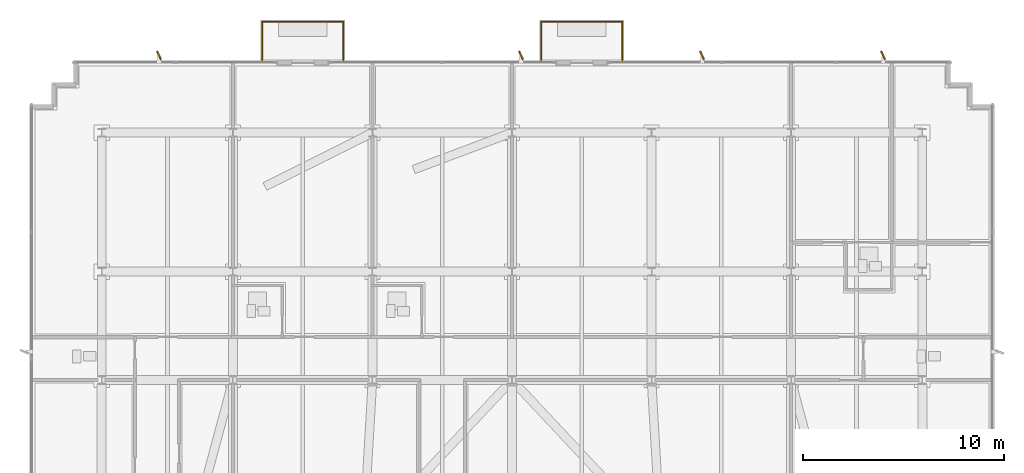
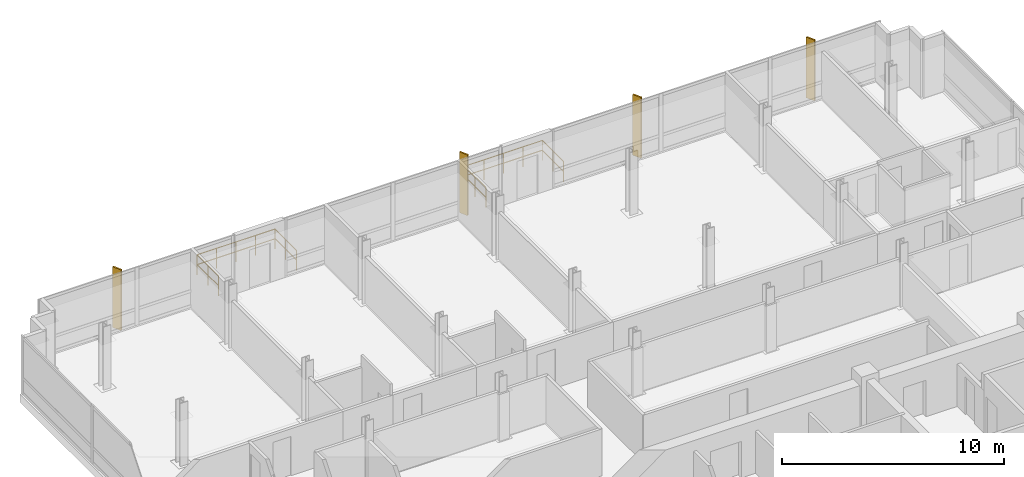
# One storey, part 15 of 16: 6 railings, 4 shading devices.
"""IFC4 building model written with IfcOpenShell, lengths in metres."""

from ifc_helpers import new_model, si_unit, direction, frame, origin, origin_2d, place, context, subcontext, project, spatial, rectangle, circle, extrude, material, layer, layer_set, type_object, element, save


model = new_model("IFC4")

# Units and contexts
model_context = context("Model", 3, precision=1e-05, world=origin(), true_north=direction((0.0, 1.0)))
body_context = subcontext(model_context, "Body", "Model", "MODEL_VIEW")
ifc_project = project(units=[si_unit("LENGTHUNIT", "METRE"), si_unit("AREAUNIT", "SQUARE_METRE"), si_unit("VOLUMEUNIT", "CUBIC_METRE"), si_unit("PLANEANGLEUNIT", "RADIAN"), si_unit("MASSUNIT", "GRAM", prefix="KILO")], contexts=[model_context])

# Site, building, storey
site_placement = place(None, origin())
site = spatial("IfcSite", under=ifc_project, at=site_placement, CompositionType="ELEMENT")
building_placement = place(site_placement, origin())
building = spatial("IfcBuilding", under=site, at=building_placement, Name="Solmavex Isthmus Hotel", CompositionType="ELEMENT")
storey_placement = place(building_placement, frame((0.0, 0.0, 245.39990234375)))
storey = spatial("IfcBuildingStorey", under=building, at=storey_placement, Name="L66", CompositionType="ELEMENT", Elevation=245.39990234375)

# Railings
ifc_material_1 = material(Name="Clear low-E laminated glass", Category="glass")
ifc_layer = layer(ifc_material_1, 0.070068359375)
ifc_layer_set = layer_set([ifc_layer], Name="Clear low-E laminated glass")
railing_type = type_object("IfcRailingType", Name="RAIL-GUARD-1100", PredefinedType="BALUSTRADE", material=ifc_layer_set)
railing_1_placement = place(storey_placement, frame((-12.424072265625, 21.300048828125, 0.0)))
element("IfcRailing", 1, at=railing_1_placement, inside=storey, type_object=railing_type, Name="Guardrail Balustrade L66-BAL1-01", PredefinedType="BALUSTRADE", context=body_context, shape_type="SweptSolid", body=[
    extrude(circle(Radius=0.02392578125, at=origin_2d()), frame((0.0, 0.0, 1.09619140625), z_axis=(0.0, 1.0, 0.0), x_axis=(-1.0, 0.0, 0.0)), (0.0, 0.0, 1.0), 1.919921875),
    extrude(circle(Radius=0.02392578125, at=origin_2d()), frame((0.0, 0.0, 0.56005859375), z_axis=(0.0, 1.0, 0.0), x_axis=(-1.0, 0.0, 0.0)), (0.0, 0.0, 1.0), 1.919921875),
    extrude(circle(Radius=0.02099609375, at=origin_2d()), origin(), (0.0, 0.0, 1.0), 1.072021484375),
    extrude(circle(Radius=0.02099609375, at=origin_2d()), frame((0.0, 0.9599609375, 0.0)), (0.0, 0.0, 1.0), 1.072021484375),
    extrude(circle(Radius=0.02099609375, at=origin_2d()), frame((0.0, 1.919921875, 0.0)), (0.0, 0.0, 1.0), 1.072021484375),
])
railing_2_placement = place(storey_placement, frame((-12.424072265625, 23.219970703125, 0.0)))
element("IfcRailing", 2, at=railing_2_placement, inside=storey, type_object=railing_type, Name="Guardrail Balustrade L66-BAL1-02", PredefinedType="BALUSTRADE", context=body_context, shape_type="SweptSolid", body=[
    extrude(circle(Radius=0.02392578125, at=origin_2d()), frame((0.0, 0.0, 1.09619140625), z_axis=(1.0, 0.0, 0.0), x_axis=(0.0, 1.0, 0.0)), (0.0, 0.0, 1.0), 4.0400390625),
    extrude(circle(Radius=0.02392578125, at=origin_2d()), frame((0.0, 0.0, 0.56005859375), z_axis=(1.0, 0.0, 0.0), x_axis=(0.0, 1.0, 0.0)), (0.0, 0.0, 1.0), 4.0400390625),
    extrude(circle(Radius=0.02099609375, at=origin_2d()), origin(), (0.0, 0.0, 1.0), 1.072021484375),
    extrude(circle(Radius=0.02099609375, at=origin_2d()), frame((1.010009765625, 0.0, 0.0)), (0.0, 0.0, 1.0), 1.072021484375),
    extrude(circle(Radius=0.02099609375, at=origin_2d()), frame((2.02001953125, 0.0, 0.0)), (0.0, 0.0, 1.0), 1.072021484375),
    extrude(circle(Radius=0.02099609375, at=origin_2d()), frame((3.030029296875, 0.0, 0.0)), (0.0, 0.0, 1.0), 1.072021484375),
    extrude(circle(Radius=0.02099609375, at=origin_2d()), frame((4.0400390625, 0.0, 0.0)), (0.0, 0.0, 1.0), 1.072021484375),
])
railing_3_placement = place(storey_placement, frame((-8.384033203125, 23.219970703125, 0.0)))
element("IfcRailing", 3, at=railing_3_placement, inside=storey, type_object=railing_type, Name="Guardrail Balustrade L66-BAL1-03", PredefinedType="BALUSTRADE", context=body_context, shape_type="SweptSolid", body=[
    extrude(circle(Radius=0.02392578125, at=origin_2d()), frame((0.0, 0.0, 1.09619140625), z_axis=(0.0, -1.0, 0.0), x_axis=(1.0, 0.0, 0.0)), (0.0, 0.0, 1.0), 1.919921875),
    extrude(circle(Radius=0.02392578125, at=origin_2d()), frame((0.0, 0.0, 0.56005859375), z_axis=(0.0, -1.0, 0.0), x_axis=(1.0, 0.0, 0.0)), (0.0, 0.0, 1.0), 1.919921875),
    extrude(circle(Radius=0.02099609375, at=origin_2d()), origin(), (0.0, 0.0, 1.0), 1.072021484375),
    extrude(circle(Radius=0.02099609375, at=origin_2d()), frame((0.0, -0.9599609375, 0.0)), (0.0, 0.0, 1.0), 1.072021484375),
    extrude(circle(Radius=0.02099609375, at=origin_2d()), frame((0.0, -1.919921875, 0.0)), (0.0, 0.0, 1.0), 1.072021484375),
])
railing_4_placement = place(storey_placement, frame((1.447998046875, 21.300048828125, 0.0)))
element("IfcRailing", 4, at=railing_4_placement, inside=storey, type_object=railing_type, Name="Guardrail Balustrade L66-BAL2-01", PredefinedType="BALUSTRADE", context=body_context, shape_type="SweptSolid", body=[
    extrude(circle(Radius=0.02392578125, at=origin_2d()), frame((0.0, 0.0, 1.09619140625), z_axis=(0.0, 1.0, 0.0), x_axis=(-1.0, 0.0, 0.0)), (0.0, 0.0, 1.0), 1.919921875),
    extrude(circle(Radius=0.02392578125, at=origin_2d()), frame((0.0, 0.0, 0.56005859375), z_axis=(0.0, 1.0, 0.0), x_axis=(-1.0, 0.0, 0.0)), (0.0, 0.0, 1.0), 1.919921875),
    extrude(circle(Radius=0.02099609375, at=origin_2d()), origin(), (0.0, 0.0, 1.0), 1.072021484375),
    extrude(circle(Radius=0.02099609375, at=origin_2d()), frame((0.0, 0.9599609375, 0.0)), (0.0, 0.0, 1.0), 1.072021484375),
    extrude(circle(Radius=0.02099609375, at=origin_2d()), frame((0.0, 1.919921875, 0.0)), (0.0, 0.0, 1.0), 1.072021484375),
])
railing_5_placement = place(storey_placement, frame((1.447998046875, 23.219970703125, 0.0)))
element("IfcRailing", 5, at=railing_5_placement, inside=storey, type_object=railing_type, Name="Guardrail Balustrade L66-BAL2-02", PredefinedType="BALUSTRADE", context=body_context, shape_type="SweptSolid", body=[
    extrude(circle(Radius=0.02392578125, at=origin_2d()), frame((0.0, 0.0, 1.09619140625), z_axis=(1.0, 0.0, 0.0), x_axis=(0.0, 1.0, 0.0)), (0.0, 0.0, 1.0), 4.0400390625),
    extrude(circle(Radius=0.02392578125, at=origin_2d()), frame((0.0, 0.0, 0.56005859375), z_axis=(1.0, 0.0, 0.0), x_axis=(0.0, 1.0, 0.0)), (0.0, 0.0, 1.0), 4.0400390625),
    extrude(circle(Radius=0.02099609375, at=origin_2d()), origin(), (0.0, 0.0, 1.0), 1.072021484375),
    extrude(circle(Radius=0.02099609375, at=origin_2d()), frame((1.010009765625, 0.0, 0.0)), (0.0, 0.0, 1.0), 1.072021484375),
    extrude(circle(Radius=0.02099609375, at=origin_2d()), frame((2.02001953125, 0.0, 0.0)), (0.0, 0.0, 1.0), 1.072021484375),
    extrude(circle(Radius=0.02099609375, at=origin_2d()), frame((3.030029296875, 0.0, 0.0)), (0.0, 0.0, 1.0), 1.072021484375),
    extrude(circle(Radius=0.02099609375, at=origin_2d()), frame((4.0400390625, 0.0, 0.0)), (0.0, 0.0, 1.0), 1.072021484375),
])
railing_6_placement = place(storey_placement, frame((5.488037109375, 23.219970703125, 0.0)))
element("IfcRailing", 6, at=railing_6_placement, inside=storey, type_object=railing_type, Name="Guardrail Balustrade L66-BAL2-03", PredefinedType="BALUSTRADE", context=body_context, shape_type="SweptSolid", body=[
    extrude(circle(Radius=0.02392578125, at=origin_2d()), frame((0.0, 0.0, 1.09619140625), z_axis=(0.0, -1.0, 0.0), x_axis=(1.0, 0.0, 0.0)), (0.0, 0.0, 1.0), 1.919921875),
    extrude(circle(Radius=0.02392578125, at=origin_2d()), frame((0.0, 0.0, 0.56005859375), z_axis=(0.0, -1.0, 0.0), x_axis=(1.0, 0.0, 0.0)), (0.0, 0.0, 1.0), 1.919921875),
    extrude(circle(Radius=0.02099609375, at=origin_2d()), origin(), (0.0, 0.0, 1.0), 1.072021484375),
    extrude(circle(Radius=0.02099609375, at=origin_2d()), frame((0.0, -0.9599609375, 0.0)), (0.0, 0.0, 1.0), 1.072021484375),
    extrude(circle(Radius=0.02099609375, at=origin_2d()), frame((0.0, -1.919921875, 0.0)), (0.0, 0.0, 1.0), 1.072021484375),
])

# Shading devices
ifc_material_2 = material(Name="Aluminium alloy 6063-T6", Category="aluminium")
shading_device_type = type_object("IfcShadingDeviceType", Name="SHD-FIN-BRONZE", PredefinedType="USERDEFINED", material=ifc_material_2)
for number, where, z_axis, x_axis, name in (
    (7, (-17.550048828125, 21.5400390625, -0.139892578125), (0.0, 0.0, 1.0), (-0.438371146789, 0.898794046299, 0.0), "Anodised Aluminium Solar Fin L66-N1"),
    (8, (0.449951171875, 21.5400390625, -0.139892578125), (0.0, 0.0, 1.0), (-0.438371146789, 0.898794046299, 0.0), "Anodised Aluminium Solar Fin L66-N2"),
    (9, (9.449951171875, 21.5400390625, -0.139892578125), (0.0, 0.0, 1.0), (-0.438371146789, 0.898794046299, 0.0), "Anodised Aluminium Solar Fin L66-N3"),
    (10, (18.449951171875, 21.5400390625, -0.139892578125), (0.0, 0.0, 1.0), (-0.438371146789, 0.898794046299, 0.0), "Anodised Aluminium Solar Fin L66-N4"),
):
    element("IfcShadingDevice", number, at=place(storey_placement, frame(where, z_axis=z_axis, x_axis=x_axis)), inside=storey, type_object=shading_device_type, Name=name, ObjectType="SOLAR_FIN", PredefinedType="USERDEFINED", context=body_context, shape_type="SweptSolid", body=[
        extrude(rectangle(XDim=0.449951171875, YDim=0.080078125, at=origin_2d()), origin(), (0.0, 0.0, 1.0), 3.330078125),
    ])

save(model, "model.ifc")
